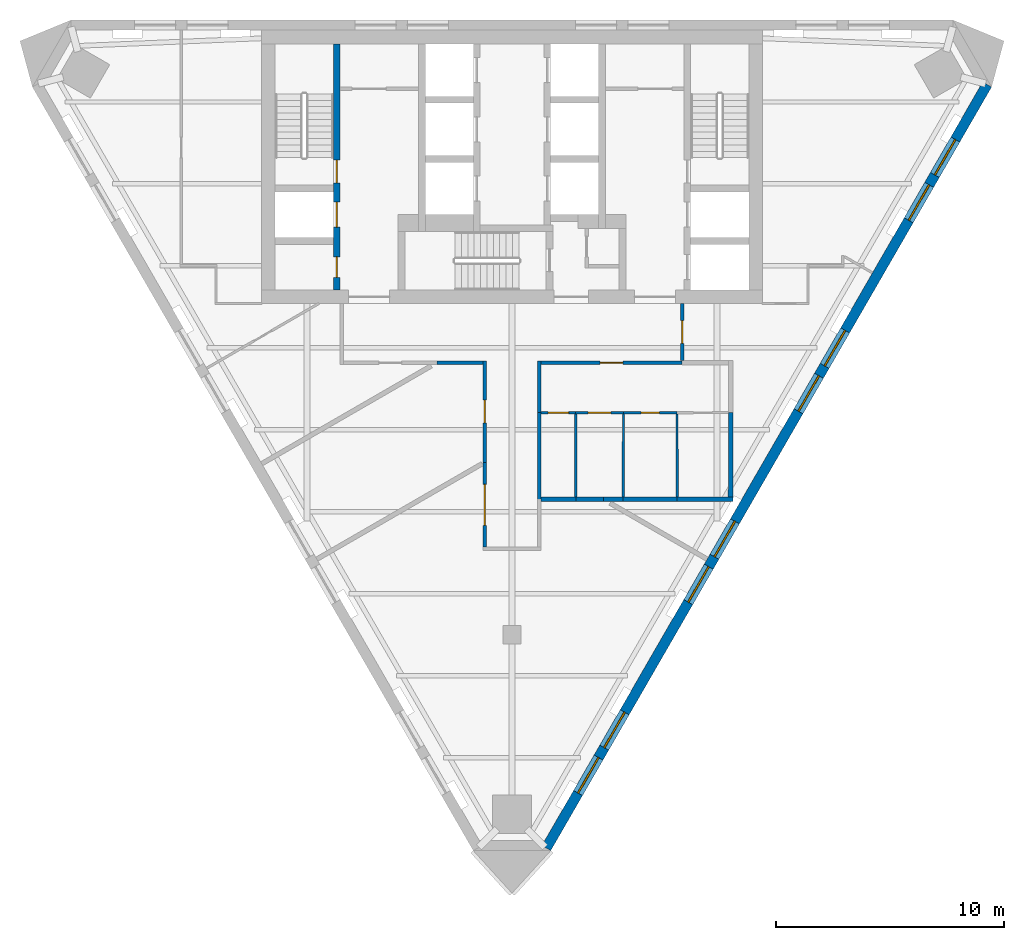
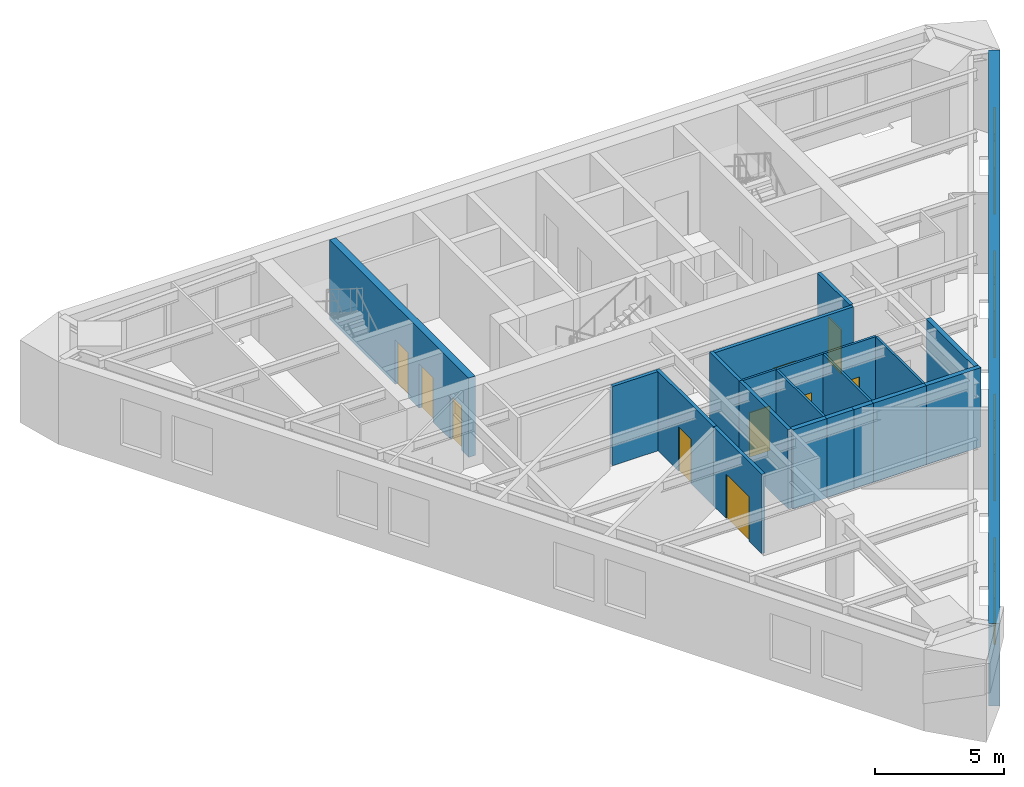
# One storey, part 3 of 7: 21 walls, 10 doors, 8 windows, 18 openings.
"""IFC4 building model written with IfcOpenShell, lengths in metres."""

from ifc_helpers import new_model, si_unit, direction, frame, frame_2d, origin, place, context, subcontext, project, spatial, polyline, rectangle, outline, extrude, material, layer, layer_set, type_object, element, fill, save


model = new_model("IFC4")

# Units and contexts
model_context = context("Model", 3, precision=1e-05, world=origin(), true_north=direction((0.0, 1.0)))
body_context = subcontext(model_context, "Body", "Model", "MODEL_VIEW")
ifc_project = project(units=[si_unit("LENGTHUNIT", "METRE"), si_unit("AREAUNIT", "SQUARE_METRE"), si_unit("VOLUMEUNIT", "CUBIC_METRE"), si_unit("PLANEANGLEUNIT", "RADIAN"), si_unit("MASSUNIT", "GRAM", prefix="KILO")], contexts=[model_context])

# Site, building, storey
site_placement = place(None, origin())
site = spatial("IfcSite", under=ifc_project, at=site_placement, CompositionType="ELEMENT")
building_placement = place(site_placement, origin())
building = spatial("IfcBuilding", under=site, at=building_placement, Name="Aloe Facet Convention Tower", CompositionType="ELEMENT")
storey_placement = place(building_placement, frame((0.0, 0.0, 207.5)))
storey = spatial("IfcBuildingStorey", under=building, at=storey_placement, Name="L52", CompositionType="ELEMENT", Elevation=207.5)

# Wall, openings, doors
ifc_material_1 = material(Name="Concrete C50/60", Category="concrete")
ifc_layer_1 = layer(ifc_material_1, 0.300048828125)
ifc_layer_set_1 = layer_set([ifc_layer_1], Name="CR-W-RC300-C5060")
wall_type_1 = type_object("IfcWallType", Name="CR-W-RC300-C5060", PredefinedType="SOLIDWALL", material=ifc_layer_set_1)
wall_1_placement = place(storey_placement, frame((72.300048828125, 133.949951171875, 0.0), z_axis=(0.0, 0.0, 1.0), x_axis=(0.0, -1.0, 0.0)))
wall_1 = element("IfcWall", 1, at=wall_1_placement, inside=storey, type_object=wall_type_1, Name="Core wall L52-006", PredefinedType="SOLIDWALL", context=body_context, shape_type="SweptSolid", body=[
    extrude(rectangle(XDim=10.800048828125, YDim=0.300048828125, at=frame_2d((5.39990234375, 0.0))), origin(), (0.0, 0.0, 1.0), 3.75),
])
opening_1_placement = place(wall_1_placement, frame((6.949951171875, 0.0, 0.0)))
opening_1 = element("IfcOpeningElement", 2, at=opening_1_placement, cuts=wall_1, Name="Opening LD-FF1-L52", PredefinedType="OPENING", context=body_context, shape_type="SweptSolid", body=[
    extrude(rectangle(XDim=1.10009765625, YDim=2.10009765625, at=frame_2d((0.550048828125, 1.050048828125))), frame((0.0, 0.16015625, 0.0), z_axis=(0.0, -1.0, 0.0), x_axis=(1.0, 0.0, 0.0)), (0.0, 0.0, 1.0), 0.320068359375),
])
opening_2_placement = place(wall_1_placement, frame((9.35009765625, 0.0, 0.0)))
opening_2 = element("IfcOpeningElement", 3, at=opening_2_placement, cuts=wall_1, Name="Opening L52-CD15", PredefinedType="OPENING", context=body_context, shape_type="SweptSolid", body=[
    extrude(rectangle(XDim=0.89990234375, YDim=2.10009765625, at=frame_2d((0.449951171875, 1.050048828125))), frame((0.0, 0.16015625, 0.0), z_axis=(0.0, -1.0, 0.0), x_axis=(1.0, 0.0, 0.0)), (0.0, 0.0, 1.0), 0.320068359375),
])
opening_3_placement = place(wall_1_placement, frame((5.10009765625, 0.0, 0.0)))
opening_3 = element("IfcOpeningElement", 4, at=opening_3_placement, cuts=wall_1, Name="Opening L52-CD16", PredefinedType="OPENING", context=body_context, shape_type="SweptSolid", body=[
    extrude(rectangle(XDim=1.0, YDim=2.10009765625, at=frame_2d((0.5, 1.050048828125))), frame((0.0, 0.16015625, 0.0), z_axis=(0.0, -1.0, 0.0), x_axis=(1.0, 0.0, 0.0)), (0.0, 0.0, 1.0), 0.320068359375),
])
ifc_material_2 = material(Name="Steel fire-resisting door set FD60", Category="steel")
door_type_1 = type_object("IfcDoorType", Name="CR-D-ROOM-900-FD60-SLEFT", OperationType="SINGLE_SWING_LEFT", PredefinedType="DOOR", material=ifc_material_2)
door_1_placement = place(opening_2_placement, origin())
door_1 = element("IfcDoor", 5, at=door_1_placement, inside=storey, type_object=door_type_1, Name="Core door L52-CD15", OperationType="SINGLE_SWING_LEFT", OverallHeight=2.10009765625, OverallWidth=0.89990234375, PredefinedType="DOOR", context=body_context, shape_type="SweptSolid", body=[
    extrude(rectangle(XDim=0.89990234375, YDim=2.10009765625, at=frame_2d((0.449951171875, 1.050048828125))), frame((0.0, 0.02490234375, 0.0), z_axis=(0.0, -1.0, 0.0), x_axis=(1.0, 0.0, 0.0)), (0.0, 0.0, 1.0), 0.050048828125),
])
fill(opening_2, door_1)
ifc_material_3 = material(Name="Steel fire-resisting door set FD120", Category="steel")
door_type_2 = type_object("IfcDoorType", Name="CR-D-STAIR-1000-FD120-SRIGHT", OperationType="SINGLE_SWING_RIGHT", PredefinedType="DOOR", material=ifc_material_3)
door_2_placement = place(opening_3_placement, origin())
door_2 = element("IfcDoor", 6, at=door_2_placement, inside=storey, type_object=door_type_2, Name="Core door L52-CD16", OperationType="SINGLE_SWING_RIGHT", OverallHeight=2.10009765625, OverallWidth=1.0, PredefinedType="DOOR", context=body_context, shape_type="SweptSolid", body=[
    extrude(rectangle(XDim=1.0, YDim=2.10009765625, at=frame_2d((0.5, 1.050048828125))), frame((0.0, 0.02490234375, 0.0), z_axis=(0.0, -1.0, 0.0), x_axis=(1.0, 0.0, 0.0)), (0.0, 0.0, 1.0), 0.050048828125),
])
fill(opening_3, door_2)
ifc_material_4 = material(Name="Stainless steel sliding landing door", Category="steel")
door_type_3 = type_object("IfcDoorType", Name="CR-LD-1100-FD120-_LEFT", OperationType="SLIDING_TO_LEFT", PredefinedType="DOOR", material=ifc_material_4)
door_3_placement = place(opening_1_placement, origin())
door_3 = element("IfcDoor", 7, at=door_3_placement, inside=storey, type_object=door_type_3, Name="Landing door FF1 L52", OperationType="SLIDING_TO_LEFT", OverallHeight=2.10009765625, OverallWidth=1.10009765625, PredefinedType="DOOR", context=body_context, shape_type="SweptSolid", body=[
    extrude(rectangle(XDim=1.10009765625, YDim=2.10009765625, at=frame_2d((0.550048828125, 1.050048828125))), frame((0.0, 0.02490234375, 0.0), z_axis=(0.0, -1.0, 0.0), x_axis=(1.0, 0.0, 0.0)), (0.0, 0.0, 1.0), 0.050048828125),
])
fill(opening_1, door_3)

# Wall, openings, windows
ifc_material_5 = material(Name="Precast concrete C40/50", Category="concrete")
ifc_layer_2 = layer(ifc_material_5, 0.449951171875)
ifc_layer_set_2 = layer_set([ifc_layer_2], Name="EV-WALL-STONE")
wall_type_2 = type_object("IfcWallType", Name="EV-WALL-STONE", PredefinedType="SOLIDWALL", material=ifc_layer_set_2)
wall_2_placement = place(storey_placement, frame((81.505126953125, 98.62744140625, -0.14990234375), z_axis=(0.0, 0.0, 1.0), x_axis=(0.500002199942, 0.866024133644, 0.0)))
wall_2 = element("IfcWall", 8, at=wall_2_placement, inside=storey, type_object=wall_type_2, Name="EW-L52-E01", PredefinedType="SOLIDWALL", context=body_context, shape_type="SweptSolid", body=[
    extrude(outline(polyline([(38.729248046875, 0.0), (38.729248046875, 3.89990234375), (0.0, 3.89990234375), (0.0, 0.0), (38.729248046875, 0.0)])), frame((0.0, 0.22509765625, 0.0), z_axis=(0.0, -1.0, 0.0), x_axis=(1.0, 0.0, 0.0)), (0.0, 0.0, 1.0), 0.449951171875),
])
opening_4_placement = place(wall_2_placement, frame((2.791259765625, 0.0, 0.949951171875)))
opening_4 = element("IfcOpeningElement", 9, at=opening_4_placement, cuts=wall_2, Name="Opening W-L52-E01", PredefinedType="OPENING", context=body_context, shape_type="SweptSolid", body=[
    extrude(rectangle(XDim=1.800048828125, YDim=2.199951171875, at=frame_2d((0.89990234375, 1.10009765625))), frame((0.0, 0.23486328125, 0.0), z_axis=(0.0, -1.0, 0.0), x_axis=(1.0, 0.0, 0.0)), (0.0, 0.0, 1.0), 0.469970703125),
])
opening_5_placement = place(wall_2_placement, frame((5.091064453125, 0.0, 0.949951171875)))
opening_5 = element("IfcOpeningElement", 10, at=opening_5_placement, cuts=wall_2, Name="Opening W-L52-E02", PredefinedType="OPENING", context=body_context, shape_type="SweptSolid", body=[
    extrude(rectangle(XDim=1.800048828125, YDim=2.199951171875, at=frame_2d((0.89990234375, 1.10009765625))), frame((0.0, 0.23486328125, 0.0), z_axis=(0.0, -1.0, 0.0), x_axis=(1.0, 0.0, 0.0)), (0.0, 0.0, 1.0), 0.469970703125),
])
opening_6_placement = place(wall_2_placement, frame((12.473388671875, 0.0, 0.949951171875)))
opening_6 = element("IfcOpeningElement", 11, at=opening_6_placement, cuts=wall_2, Name="Opening W-L52-E03", PredefinedType="OPENING", context=body_context, shape_type="SweptSolid", body=[
    extrude(rectangle(XDim=1.800048828125, YDim=2.199951171875, at=frame_2d((0.89990234375, 1.10009765625))), frame((0.0, 0.23486328125, 0.0), z_axis=(0.0, -1.0, 0.0), x_axis=(1.0, 0.0, 0.0)), (0.0, 0.0, 1.0), 0.469970703125),
])
opening_7_placement = place(wall_2_placement, frame((14.7734375, 0.0, 0.949951171875)))
opening_7 = element("IfcOpeningElement", 12, at=opening_7_placement, cuts=wall_2, Name="Opening W-L52-E04", PredefinedType="OPENING", context=body_context, shape_type="SweptSolid", body=[
    extrude(rectangle(XDim=1.800048828125, YDim=2.199951171875, at=frame_2d((0.89990234375, 1.10009765625))), frame((0.0, 0.23486328125, 0.0), z_axis=(0.0, -1.0, 0.0), x_axis=(1.0, 0.0, 0.0)), (0.0, 0.0, 1.0), 0.469970703125),
])
opening_8_placement = place(wall_2_placement, frame((22.15576171875, 0.0, 0.949951171875)))
opening_8 = element("IfcOpeningElement", 13, at=opening_8_placement, cuts=wall_2, Name="Opening W-L52-E05", PredefinedType="OPENING", context=body_context, shape_type="SweptSolid", body=[
    extrude(rectangle(XDim=1.800048828125, YDim=2.199951171875, at=frame_2d((0.89990234375, 1.10009765625))), frame((0.0, 0.23486328125, 0.0), z_axis=(0.0, -1.0, 0.0), x_axis=(1.0, 0.0, 0.0)), (0.0, 0.0, 1.0), 0.469970703125),
])
opening_9_placement = place(wall_2_placement, frame((24.455810546875, 0.0, 0.949951171875)))
opening_9 = element("IfcOpeningElement", 14, at=opening_9_placement, cuts=wall_2, Name="Opening W-L52-E06", PredefinedType="OPENING", context=body_context, shape_type="SweptSolid", body=[
    extrude(rectangle(XDim=1.800048828125, YDim=2.199951171875, at=frame_2d((0.89990234375, 1.10009765625))), frame((0.0, 0.23486328125, 0.0), z_axis=(0.0, -1.0, 0.0), x_axis=(1.0, 0.0, 0.0)), (0.0, 0.0, 1.0), 0.469970703125),
])
opening_10_placement = place(wall_2_placement, frame((31.838134765625, 0.0, 0.949951171875)))
opening_10 = element("IfcOpeningElement", 15, at=opening_10_placement, cuts=wall_2, Name="Opening W-L52-E07", PredefinedType="OPENING", context=body_context, shape_type="SweptSolid", body=[
    extrude(rectangle(XDim=1.800048828125, YDim=2.199951171875, at=frame_2d((0.89990234375, 1.10009765625))), frame((0.0, 0.23486328125, 0.0), z_axis=(0.0, -1.0, 0.0), x_axis=(1.0, 0.0, 0.0)), (0.0, 0.0, 1.0), 0.469970703125),
])
opening_11_placement = place(wall_2_placement, frame((34.13818359375, 0.0, 0.949951171875)))
opening_11 = element("IfcOpeningElement", 16, at=opening_11_placement, cuts=wall_2, Name="Opening W-L52-E08", PredefinedType="OPENING", context=body_context, shape_type="SweptSolid", body=[
    extrude(rectangle(XDim=1.800048828125, YDim=2.199951171875, at=frame_2d((0.89990234375, 1.10009765625))), frame((0.0, 0.23486328125, 0.0), z_axis=(0.0, -1.0, 0.0), x_axis=(1.0, 0.0, 0.0)), (0.0, 0.0, 1.0), 0.469970703125),
])
ifc_material_6 = material(Name="Aluminium frame, clear double glazing", Category="aluminium")
window_type = type_object("IfcWindowType", Name="EV-WIN-O18", PartitioningType="SINGLE_PANEL", PredefinedType="WINDOW", material=ifc_material_6)
window_1_placement = place(opening_4_placement, origin())
window_1 = element("IfcWindow", 17, at=window_1_placement, inside=storey, type_object=window_type, Name="W-L52-E01", OverallHeight=2.199951171875, OverallWidth=1.800048828125, PartitioningType="SINGLE_PANEL", PredefinedType="WINDOW", context=body_context, shape_type="SweptSolid", body=[
    extrude(rectangle(XDim=1.800048828125, YDim=2.199951171875, at=frame_2d((0.89990234375, 1.10009765625))), frame((0.0, 0.030029296875, 0.0), z_axis=(0.0, -1.0, 0.0), x_axis=(1.0, 0.0, 0.0)), (0.0, 0.0, 1.0), 0.06005859375),
])
fill(opening_4, window_1)
window_2_placement = place(opening_5_placement, origin())
window_2 = element("IfcWindow", 18, at=window_2_placement, inside=storey, type_object=window_type, Name="W-L52-E02", OverallHeight=2.199951171875, OverallWidth=1.800048828125, PartitioningType="SINGLE_PANEL", PredefinedType="WINDOW", context=body_context, shape_type="SweptSolid", body=[
    extrude(rectangle(XDim=1.800048828125, YDim=2.199951171875, at=frame_2d((0.89990234375, 1.10009765625))), frame((0.0, 0.030029296875, 0.0), z_axis=(0.0, -1.0, 0.0), x_axis=(1.0, 0.0, 0.0)), (0.0, 0.0, 1.0), 0.06005859375),
])
fill(opening_5, window_2)
window_3_placement = place(opening_6_placement, origin())
window_3 = element("IfcWindow", 19, at=window_3_placement, inside=storey, type_object=window_type, Name="W-L52-E03", OverallHeight=2.199951171875, OverallWidth=1.800048828125, PartitioningType="SINGLE_PANEL", PredefinedType="WINDOW", context=body_context, shape_type="SweptSolid", body=[
    extrude(rectangle(XDim=1.800048828125, YDim=2.199951171875, at=frame_2d((0.89990234375, 1.10009765625))), frame((0.0, 0.030029296875, 0.0), z_axis=(0.0, -1.0, 0.0), x_axis=(1.0, 0.0, 0.0)), (0.0, 0.0, 1.0), 0.06005859375),
])
fill(opening_6, window_3)
window_4_placement = place(opening_7_placement, origin())
window_4 = element("IfcWindow", 20, at=window_4_placement, inside=storey, type_object=window_type, Name="W-L52-E04", OverallHeight=2.199951171875, OverallWidth=1.800048828125, PartitioningType="SINGLE_PANEL", PredefinedType="WINDOW", context=body_context, shape_type="SweptSolid", body=[
    extrude(rectangle(XDim=1.800048828125, YDim=2.199951171875, at=frame_2d((0.89990234375, 1.10009765625))), frame((0.0, 0.030029296875, 0.0), z_axis=(0.0, -1.0, 0.0), x_axis=(1.0, 0.0, 0.0)), (0.0, 0.0, 1.0), 0.06005859375),
])
fill(opening_7, window_4)
window_5_placement = place(opening_8_placement, origin())
window_5 = element("IfcWindow", 21, at=window_5_placement, inside=storey, type_object=window_type, Name="W-L52-E05", OverallHeight=2.199951171875, OverallWidth=1.800048828125, PartitioningType="SINGLE_PANEL", PredefinedType="WINDOW", context=body_context, shape_type="SweptSolid", body=[
    extrude(rectangle(XDim=1.800048828125, YDim=2.199951171875, at=frame_2d((0.89990234375, 1.10009765625))), frame((0.0, 0.030029296875, 0.0), z_axis=(0.0, -1.0, 0.0), x_axis=(1.0, 0.0, 0.0)), (0.0, 0.0, 1.0), 0.06005859375),
])
fill(opening_8, window_5)
window_6_placement = place(opening_9_placement, origin())
window_6 = element("IfcWindow", 22, at=window_6_placement, inside=storey, type_object=window_type, Name="W-L52-E06", OverallHeight=2.199951171875, OverallWidth=1.800048828125, PartitioningType="SINGLE_PANEL", PredefinedType="WINDOW", context=body_context, shape_type="SweptSolid", body=[
    extrude(rectangle(XDim=1.800048828125, YDim=2.199951171875, at=frame_2d((0.89990234375, 1.10009765625))), frame((0.0, 0.030029296875, 0.0), z_axis=(0.0, -1.0, 0.0), x_axis=(1.0, 0.0, 0.0)), (0.0, 0.0, 1.0), 0.06005859375),
])
fill(opening_9, window_6)
window_7_placement = place(opening_10_placement, origin())
window_7 = element("IfcWindow", 23, at=window_7_placement, inside=storey, type_object=window_type, Name="W-L52-E07", OverallHeight=2.199951171875, OverallWidth=1.800048828125, PartitioningType="SINGLE_PANEL", PredefinedType="WINDOW", context=body_context, shape_type="SweptSolid", body=[
    extrude(rectangle(XDim=1.800048828125, YDim=2.199951171875, at=frame_2d((0.89990234375, 1.10009765625))), frame((0.0, 0.030029296875, 0.0), z_axis=(0.0, -1.0, 0.0), x_axis=(1.0, 0.0, 0.0)), (0.0, 0.0, 1.0), 0.06005859375),
])
fill(opening_10, window_7)
window_8_placement = place(opening_11_placement, origin())
window_8 = element("IfcWindow", 24, at=window_8_placement, inside=storey, type_object=window_type, Name="W-L52-E08", OverallHeight=2.199951171875, OverallWidth=1.800048828125, PartitioningType="SINGLE_PANEL", PredefinedType="WINDOW", context=body_context, shape_type="SweptSolid", body=[
    extrude(rectangle(XDim=1.800048828125, YDim=2.199951171875, at=frame_2d((0.89990234375, 1.10009765625))), frame((0.0, 0.030029296875, 0.0), z_axis=(0.0, -1.0, 0.0), x_axis=(1.0, 0.0, 0.0)), (0.0, 0.0, 1.0), 0.06005859375),
])
fill(opening_11, window_8)

# Wall, opening, door
ifc_material_7 = material(Name="Gypsum board partition on steel studs", Category="steel")
ifc_layer_3 = layer(ifc_material_7, 0.14990234375)
ifc_layer_set_3 = layer_set([ifc_layer_3], Name="IN-W-CORR")
wall_type_3 = type_object("IfcWallType", Name="IN-W-CORR", PredefinedType="PARTITIONING", material=ifc_layer_set_3)
wall_3_placement = place(storey_placement, frame((78.800048828125, 115.573974609375, 0.0), z_axis=(0.0, 0.0, 1.0), x_axis=(0.0, 1.0, 0.0)))
wall_3 = element("IfcWall", 25, at=wall_3_placement, inside=storey, type_object=wall_type_3, Name="Partition L52-W012", PredefinedType="PARTITIONING", context=body_context, shape_type="SweptSolid", body=[
    extrude(rectangle(XDim=4.450927734375, YDim=0.14990234375, at=frame_2d((2.2255859375, 0.0))), origin(), (0.0, 0.0, 1.0), 3.75),
])
opening_12_placement = place(wall_3_placement, frame((1.7255859375, 0.0, 0.0)))
opening_12 = element("IfcOpeningElement", 26, at=opening_12_placement, cuts=wall_3, Name="Opening L52-010", PredefinedType="OPENING", context=body_context, shape_type="SweptSolid", body=[
    extrude(rectangle(XDim=1.0, YDim=2.10009765625, at=frame_2d((0.5, 1.050048828125))), frame((0.0, 0.0849609375, 0.0), z_axis=(0.0, -1.0, 0.0), x_axis=(1.0, 0.0, 0.0)), (0.0, 0.0, 1.0), 0.169921875),
])
ifc_material_8 = material(Name="Timber door FD30S with vision panel", Category="wood")
door_type_4 = type_object("IfcDoorType", Name="IN-OFF-D-ENTRY", OperationType="SINGLE_SWING_LEFT", PredefinedType="DOOR", material=ifc_material_8)
door_4_placement = place(opening_12_placement, origin())
door_4 = element("IfcDoor", 27, at=door_4_placement, inside=storey, type_object=door_type_4, Name="Door L52-010", OperationType="SINGLE_SWING_LEFT", OverallHeight=2.10009765625, OverallWidth=1.0, PredefinedType="DOOR", context=body_context, shape_type="SweptSolid", body=[
    extrude(rectangle(XDim=1.0, YDim=2.10009765625, at=frame_2d((0.5, 1.050048828125))), frame((0.0, 0.02490234375, 0.0), z_axis=(0.0, -1.0, 0.0), x_axis=(1.0, 0.0, 0.0)), (0.0, 0.0, 1.0), 0.050048828125),
])
fill(opening_12, door_4)

wall_4_placement = place(storey_placement, frame((78.802001953125, 111.841796875, 0.0), z_axis=(0.0, 0.0, 1.0), x_axis=(-0.000523320397, 0.999999863068, 0.0)))
wall_4 = element("IfcWall", 28, at=wall_4_placement, inside=storey, type_object=wall_type_3, Name="Partition L52-W013", PredefinedType="PARTITIONING", context=body_context, shape_type="SweptSolid", body=[
    extrude(rectangle(XDim=3.732177734375, YDim=0.14990234375, at=frame_2d((1.8662109375, 0.0))), origin(), (0.0, 0.0, 1.0), 3.75),
])
opening_13_placement = place(wall_4_placement, frame((0.966064453125, 0.0, 0.0)))
opening_13 = element("IfcOpeningElement", 29, at=opening_13_placement, cuts=wall_4, Name="Opening L52-012", PredefinedType="OPENING", context=body_context, shape_type="SweptSolid", body=[
    extrude(rectangle(XDim=1.800048828125, YDim=2.10009765625, at=frame_2d((0.89990234375, 1.050048828125))), frame((0.0, 0.0849609375, 0.0), z_axis=(0.0, -1.0, 0.0), x_axis=(1.0, 0.0, 0.0)), (0.0, 0.0, 1.0), 0.169921875),
])
ifc_material_9 = material(Name="Glazed timber door pair FD30S", Category="wood")
door_type_5 = type_object("IfcDoorType", Name="IN-OFF-D-SUITE", OperationType="DOUBLE_DOOR_SINGLE_SWING", PredefinedType="DOOR", material=ifc_material_9)
door_5_placement = place(opening_13_placement, origin())
door_5 = element("IfcDoor", 30, at=door_5_placement, inside=storey, type_object=door_type_5, Name="Door L52-012", OperationType="SINGLE_SWING_LEFT", OverallHeight=2.10009765625, OverallWidth=1.800048828125, PredefinedType="DOOR", context=body_context, shape_type="SweptSolid", body=[
    extrude(rectangle(XDim=1.800048828125, YDim=2.10009765625, at=frame_2d((0.89990234375, 1.050048828125))), frame((0.0, 0.02490234375, 0.0), z_axis=(0.0, -1.0, 0.0), x_axis=(1.0, 0.0, 0.0)), (0.0, 0.0, 1.0), 0.050048828125),
])
fill(opening_13, door_5)

# Walls
wall_5_placement = place(storey_placement, frame((81.199951171875, 113.949951171875, 0.0), z_axis=(0.0, 0.0, 1.0), x_axis=(0.0, 1.0, 0.0)))
element("IfcWall", 31, at=wall_5_placement, inside=storey, type_object=wall_type_3, Name="Partition L52-W022", PredefinedType="PARTITIONING", context=body_context, shape_type="SweptSolid", body=[
    extrude(rectangle(XDim=3.800048828125, YDim=0.14990234375, at=frame_2d((1.89990234375, 0.0))), origin(), (0.0, 0.0, 1.0), 3.75),
])
wall_6_placement = place(storey_placement, frame((76.697265625, 119.949951171875, 0.0), z_axis=(0.0, 0.0, 1.0), x_axis=(1.0, 0.0, 0.0)))
element("IfcWall", 32, at=wall_6_placement, inside=storey, type_object=wall_type_3, Name="Partition L52-W026", PredefinedType="PARTITIONING", context=body_context, shape_type="SweptSolid", body=[
    extrude(rectangle(XDim=2.02783203125, YDim=0.14990234375, at=frame_2d((1.013916015625, 0.0))), origin(), (0.0, 0.0, 1.0), 3.75),
])
wall_7_placement = place(storey_placement, frame((81.199951171875, 117.75, 0.0), z_axis=(0.0, 0.0, 1.0), x_axis=(0.0, 1.0, 0.0)))
element("IfcWall", 33, at=wall_7_placement, inside=storey, type_object=wall_type_3, Name="Partition L52-W027", PredefinedType="PARTITIONING", context=body_context, shape_type="SweptSolid", body=[
    extrude(rectangle(XDim=2.27490234375, YDim=0.14990234375, at=frame_2d((1.137451171875, 0.0))), origin(), (0.0, 0.0, 1.0), 3.75),
])

# Wall, opening, door
wall_8_placement = place(storey_placement, frame((81.27490234375, 119.949951171875, 0.0), z_axis=(0.0, 0.0, 1.0), x_axis=(1.0, 0.0, 0.0)))
wall_8 = element("IfcWall", 34, at=wall_8_placement, inside=storey, type_object=wall_type_3, Name="Partition L52-W028", PredefinedType="PARTITIONING", context=body_context, shape_type="SweptSolid", body=[
    extrude(rectangle(XDim=6.2001953125, YDim=0.14990234375, at=frame_2d((3.10009765625, 0.0))), origin(), (0.0, 0.0, 1.0), 3.75),
])
opening_14_placement = place(wall_8_placement, frame((2.60009765625, 0.0, 0.0)))
opening_14 = element("IfcOpeningElement", 35, at=opening_14_placement, cuts=wall_8, Name="Opening L52-001", PredefinedType="OPENING", context=body_context, shape_type="SweptSolid", body=[
    extrude(rectangle(XDim=1.0, YDim=2.10009765625, at=frame_2d((0.5, 1.050048828125))), frame((0.0, 0.0849609375, 0.0), z_axis=(0.0, -1.0, 0.0), x_axis=(1.0, 0.0, 0.0)), (0.0, 0.0, 1.0), 0.169921875),
])
door_6_placement = place(opening_14_placement, origin())
door_6 = element("IfcDoor", 36, at=door_6_placement, inside=storey, type_object=door_type_4, Name="Door L52-001", OperationType="SINGLE_SWING_LEFT", OverallHeight=2.10009765625, OverallWidth=1.0, PredefinedType="DOOR", context=body_context, shape_type="SweptSolid", body=[
    extrude(rectangle(XDim=1.0, YDim=2.10009765625, at=frame_2d((0.5, 1.050048828125))), frame((0.0, 0.02490234375, 0.0), z_axis=(0.0, -1.0, 0.0), x_axis=(1.0, 0.0, 0.0)), (0.0, 0.0, 1.0), 0.050048828125),
])
fill(opening_14, door_6)

wall_9_placement = place(storey_placement, frame((87.47509765625, 120.050048828125, 0.0), z_axis=(0.0, 0.0, 1.0), x_axis=(0.0, 1.0, 0.0)))
wall_9 = element("IfcWall", 37, at=wall_9_placement, inside=storey, type_object=wall_type_3, Name="Partition L52-W031", PredefinedType="PARTITIONING", context=body_context, shape_type="SweptSolid", body=[
    extrude(rectangle(XDim=2.5, YDim=0.14990234375, at=frame_2d((1.25, 0.0))), origin(), (0.0, 0.0, 1.0), 3.75),
])
opening_15_placement = place(wall_9_placement, frame((0.75, 0.0, 0.0)))
opening_15 = element("IfcOpeningElement", 38, at=opening_15_placement, cuts=wall_9, Name="Opening L52-011", PredefinedType="OPENING", context=body_context, shape_type="SweptSolid", body=[
    extrude(rectangle(XDim=1.0, YDim=2.10009765625, at=frame_2d((0.5, 1.050048828125))), frame((0.0, 0.0849609375, 0.0), z_axis=(0.0, -1.0, 0.0), x_axis=(1.0, 0.0, 0.0)), (0.0, 0.0, 1.0), 0.169921875),
])
door_7_placement = place(opening_15_placement, origin())
door_7 = element("IfcDoor", 39, at=door_7_placement, inside=storey, type_object=door_type_4, Name="Door L52-011", OperationType="SINGLE_SWING_LEFT", OverallHeight=2.10009765625, OverallWidth=1.0, PredefinedType="DOOR", context=body_context, shape_type="SweptSolid", body=[
    extrude(rectangle(XDim=1.0, YDim=2.10009765625, at=frame_2d((0.5, 1.050048828125))), frame((0.0, 0.02490234375, 0.0), z_axis=(0.0, -1.0, 0.0), x_axis=(1.0, 0.0, 0.0)), (0.0, 0.0, 1.0), 0.050048828125),
])
fill(opening_15, door_7)

# Wall
ifc_material_10 = material(Name="Gypsum board partition on steel studs", Category="steel")
ifc_layer_4 = layer(ifc_material_10, 0.10009765625)
ifc_layer_set_4 = layer_set([ifc_layer_4], Name="IN-W-PART")
wall_type_4 = type_object("IfcWallType", Name="IN-W-PART", PredefinedType="PARTITIONING", material=ifc_layer_set_4)
wall_10_placement = place(storey_placement, frame((82.8056640625, 114.050048828125, 0.0), z_axis=(0.0, 0.0, 1.0), x_axis=(-0.002608686776, 0.999996597371, 0.0)))
element("IfcWall", 40, at=wall_10_placement, inside=storey, type_object=wall_type_4, Name="Partition L52-W015", PredefinedType="PARTITIONING", context=body_context, shape_type="SweptSolid", body=[
    extrude(rectangle(XDim=3.64990234375, YDim=0.10009765625, at=frame_2d((1.824951171875, 0.0))), origin(), (0.0, 0.0, 1.0), 3.75),
])

# Wall, opening, door
wall_11_placement = place(storey_placement, frame((81.27490234375, 117.75, 0.0), z_axis=(0.0, 0.0, 1.0), x_axis=(1.0, 0.0, 0.0)))
wall_11 = element("IfcWall", 41, at=wall_11_placement, inside=storey, type_object=wall_type_4, Name="Partition L52-W016", PredefinedType="PARTITIONING", context=body_context, shape_type="SweptSolid", body=[
    extrude(rectangle(XDim=1.52099609375, YDim=0.10009765625, at=frame_2d((0.760498046875, 0.0))), origin(), (0.0, 0.0, 1.0), 3.75),
])
opening_16_placement = place(wall_11_placement, frame((0.310546875, 0.0, 0.0)))
opening_16 = element("IfcOpeningElement", 42, at=opening_16_placement, cuts=wall_11, Name="Opening L52-002", PredefinedType="OPENING", context=body_context, shape_type="SweptSolid", body=[
    extrude(rectangle(XDim=0.89990234375, YDim=2.10009765625, at=frame_2d((0.449951171875, 1.050048828125))), frame((0.0, 0.06005859375, 0.0), z_axis=(0.0, -1.0, 0.0), x_axis=(1.0, 0.0, 0.0)), (0.0, 0.0, 1.0), 0.1201171875),
])
ifc_material_11 = material(Name="Timber door", Category="wood")
door_type_6 = type_object("IfcDoorType", Name="IN-OFF-D-ROOM", OperationType="SINGLE_SWING_LEFT", PredefinedType="DOOR", material=ifc_material_11)
door_8_placement = place(opening_16_placement, origin())
door_8 = element("IfcDoor", 43, at=door_8_placement, inside=storey, type_object=door_type_6, Name="Door L52-002", OperationType="SINGLE_SWING_LEFT", OverallHeight=2.10009765625, OverallWidth=0.89990234375, PredefinedType="DOOR", context=body_context, shape_type="SweptSolid", body=[
    extrude(rectangle(XDim=0.89990234375, YDim=2.10009765625, at=frame_2d((0.449951171875, 1.050048828125))), frame((0.0, 0.02490234375, 0.0), z_axis=(0.0, -1.0, 0.0), x_axis=(1.0, 0.0, 0.0)), (0.0, 0.0, 1.0), 0.050048828125),
])
fill(opening_16, door_8)

# Wall
wall_12_placement = place(storey_placement, frame((84.88623046875, 114.050048828125, 0.0), z_axis=(0.0, 0.0, 1.0), x_axis=(0.002608686776, 0.999996597371, 0.0)))
element("IfcWall", 44, at=wall_12_placement, inside=storey, type_object=wall_type_4, Name="Partition L52-W017", PredefinedType="PARTITIONING", context=body_context, shape_type="SweptSolid", body=[
    extrude(rectangle(XDim=3.64990234375, YDim=0.10009765625, at=frame_2d((1.824951171875, 0.0))), origin(), (0.0, 0.0, 1.0), 3.75),
])

# Wall, opening, door
wall_13_placement = place(storey_placement, frame((82.7958984375, 117.75, 0.0), z_axis=(0.0, 0.0, 1.0), x_axis=(1.0, 0.0, 0.0)))
wall_13 = element("IfcWall", 45, at=wall_13_placement, inside=storey, type_object=wall_type_4, Name="Partition L52-W018", PredefinedType="PARTITIONING", context=body_context, shape_type="SweptSolid", body=[
    extrude(rectangle(XDim=2.10009765625, YDim=0.10009765625, at=frame_2d((1.050048828125, 0.0))), origin(), (0.0, 0.0, 1.0), 3.75),
])
opening_17_placement = place(wall_13_placement, frame((0.550048828125, 0.0, 0.0)))
opening_17 = element("IfcOpeningElement", 46, at=opening_17_placement, cuts=wall_13, Name="Opening L52-003", PredefinedType="OPENING", context=body_context, shape_type="SweptSolid", body=[
    extrude(rectangle(XDim=1.0, YDim=2.10009765625, at=frame_2d((0.5, 1.050048828125))), frame((0.0, 0.06005859375, 0.0), z_axis=(0.0, -1.0, 0.0), x_axis=(1.0, 0.0, 0.0)), (0.0, 0.0, 1.0), 0.1201171875),
])
ifc_material_12 = material(Name="Timber door", Category="wood")
door_type_7 = type_object("IfcDoorType", Name="IN-OFF-D-WIDE", OperationType="SINGLE_SWING_LEFT", PredefinedType="DOOR", material=ifc_material_12)
door_9_placement = place(opening_17_placement, origin())
door_9 = element("IfcDoor", 47, at=door_9_placement, inside=storey, type_object=door_type_7, Name="Door L52-003", OperationType="SINGLE_SWING_LEFT", OverallHeight=2.10009765625, OverallWidth=1.0, PredefinedType="DOOR", context=body_context, shape_type="SweptSolid", body=[
    extrude(rectangle(XDim=1.0, YDim=2.10009765625, at=frame_2d((0.5, 1.050048828125))), frame((0.0, 0.02490234375, 0.0), z_axis=(0.0, -1.0, 0.0), x_axis=(1.0, 0.0, 0.0)), (0.0, 0.0, 1.0), 0.050048828125),
])
fill(opening_17, door_9)

# Wall
wall_14_placement = place(storey_placement, frame((87.2578125, 114.050048828125, 0.0), z_axis=(0.0, 0.0, 1.0), x_axis=(-0.002675575707, 0.999996420641, 0.0)))
element("IfcWall", 48, at=wall_14_placement, inside=storey, type_object=wall_type_4, Name="Partition L52-W019", PredefinedType="PARTITIONING", context=body_context, shape_type="SweptSolid", body=[
    extrude(rectangle(XDim=3.64990234375, YDim=0.10009765625, at=frame_2d((1.824951171875, 0.0))), origin(), (0.0, 0.0, 1.0), 3.75),
])

# Wall, opening, door
wall_15_placement = place(storey_placement, frame((84.89599609375, 117.75, 0.0), z_axis=(0.0, 0.0, 1.0), x_axis=(1.0, 0.0, 0.0)))
wall_15 = element("IfcWall", 49, at=wall_15_placement, inside=storey, type_object=wall_type_4, Name="Partition L52-W020", PredefinedType="PARTITIONING", context=body_context, shape_type="SweptSolid", body=[
    extrude(rectangle(XDim=2.35205078125, YDim=0.10009765625, at=frame_2d((1.176025390625, 0.0))), origin(), (0.0, 0.0, 1.0), 3.75),
])
opening_18_placement = place(wall_15_placement, frame((0.77587890625, 0.0, 0.0)))
opening_18 = element("IfcOpeningElement", 50, at=opening_18_placement, cuts=wall_15, Name="Opening L52-004", PredefinedType="OPENING", context=body_context, shape_type="SweptSolid", body=[
    extrude(rectangle(XDim=0.800048828125, YDim=2.10009765625, at=frame_2d((0.39990234375, 1.050048828125))), frame((0.0, 0.06005859375, 0.0), z_axis=(0.0, -1.0, 0.0), x_axis=(1.0, 0.0, 0.0)), (0.0, 0.0, 1.0), 0.1201171875),
])
ifc_material_13 = material(Name="Timber door", Category="wood")
door_type_8 = type_object("IfcDoorType", Name="IN-OFF-D-WC", OperationType="SINGLE_SWING_LEFT", PredefinedType="DOOR", material=ifc_material_13)
door_10_placement = place(opening_18_placement, origin())
door_10 = element("IfcDoor", 51, at=door_10_placement, inside=storey, type_object=door_type_8, Name="Door L52-004", OperationType="SINGLE_SWING_LEFT", OverallHeight=2.10009765625, OverallWidth=0.800048828125, PredefinedType="DOOR", context=body_context, shape_type="SweptSolid", body=[
    extrude(rectangle(XDim=0.800048828125, YDim=2.10009765625, at=frame_2d((0.39990234375, 1.050048828125))), frame((0.0, 0.02490234375, 0.0), z_axis=(0.0, -1.0, 0.0), x_axis=(1.0, 0.0, 0.0)), (0.0, 0.0, 1.0), 0.050048828125),
])
fill(opening_18, door_10)

# Walls
ifc_material_14 = material(Name="Gypsum board partition on steel studs", Category="steel")
ifc_layer_5 = layer(ifc_material_14, 0.199951171875)
ifc_layer_set_5 = layer_set([ifc_layer_5], Name="IN-W-PARTY")
wall_type_5 = type_object("IfcWallType", Name="IN-W-PARTY", PredefinedType="PARTITIONING", material=ifc_layer_set_5)
wall_16_placement = place(storey_placement, frame((81.27490234375, 113.949951171875, 0.0), z_axis=(0.0, 0.0, 1.0), x_axis=(1.0, 0.0, 0.0)))
element("IfcWall", 52, at=wall_16_placement, inside=storey, type_object=wall_type_5, Name="Partition L52-W004", PredefinedType="PARTITIONING", context=body_context, shape_type="SweptSolid", body=[
    extrude(rectangle(XDim=1.531005859375, YDim=0.199951171875, at=frame_2d((0.765625, 0.0))), origin(), (0.0, 0.0, 1.0), 3.75),
])
wall_17_placement = place(storey_placement, frame((82.805908203125, 113.949951171875, 0.0), z_axis=(0.0, 0.0, 1.0), x_axis=(1.0, 0.0, 0.0)))
element("IfcWall", 53, at=wall_17_placement, inside=storey, type_object=wall_type_5, Name="Partition L52-W005", PredefinedType="PARTITIONING", context=body_context, shape_type="SweptSolid", body=[
    extrude(rectangle(XDim=1.206787109375, YDim=0.199951171875, at=frame_2d((0.603515625, 0.0))), origin(), (0.0, 0.0, 1.0), 3.75),
])
wall_18_placement = place(storey_placement, frame((84.0126953125, 113.949951171875, 0.0), z_axis=(0.0, 0.0, 1.0), x_axis=(1.0, 0.0, 0.0)))
element("IfcWall", 54, at=wall_18_placement, inside=storey, type_object=wall_type_5, Name="Partition L52-W007", PredefinedType="PARTITIONING", context=body_context, shape_type="SweptSolid", body=[
    extrude(rectangle(XDim=0.873291015625, YDim=0.199951171875, at=frame_2d((0.4365234375, 0.0))), origin(), (0.0, 0.0, 1.0), 3.75),
])
wall_19_placement = place(storey_placement, frame((84.885986328125, 113.949951171875, 0.0), z_axis=(0.0, 0.0, 1.0), x_axis=(1.0, 0.0, 0.0)))
element("IfcWall", 55, at=wall_19_placement, inside=storey, type_object=wall_type_5, Name="Partition L52-W008", PredefinedType="PARTITIONING", context=body_context, shape_type="SweptSolid", body=[
    extrude(rectangle(XDim=2.3720703125, YDim=0.199951171875, at=frame_2d((1.18603515625, 0.0))), origin(), (0.0, 0.0, 1.0), 3.75),
])
wall_20_placement = place(storey_placement, frame((87.258056640625, 113.949951171875, 0.0), z_axis=(0.0, 0.0, 1.0), x_axis=(1.0, 0.0, 0.0)))
element("IfcWall", 56, at=wall_20_placement, inside=storey, type_object=wall_type_5, Name="Partition L52-W009", PredefinedType="PARTITIONING", context=body_context, shape_type="SweptSolid", body=[
    extrude(rectangle(XDim=2.43994140625, YDim=0.199951171875, at=frame_2d((1.219970703125, 0.0))), origin(), (0.0, 0.0, 1.0), 3.75),
])
wall_21_placement = place(storey_placement, frame((89.59814453125, 114.050048828125, 0.0), z_axis=(0.0, 0.0, 1.0), x_axis=(0.000526454257, 0.999999861423, 0.0)))
element("IfcWall", 57, at=wall_21_placement, inside=storey, type_object=wall_type_5, Name="Partition L52-W010", PredefinedType="PARTITIONING", context=body_context, shape_type="SweptSolid", body=[
    extrude(rectangle(XDim=3.7099609375, YDim=0.199951171875, at=frame_2d((1.85498046875, 0.0))), origin(), (0.0, 0.0, 1.0), 3.75),
])

save(model, "model.ifc")
